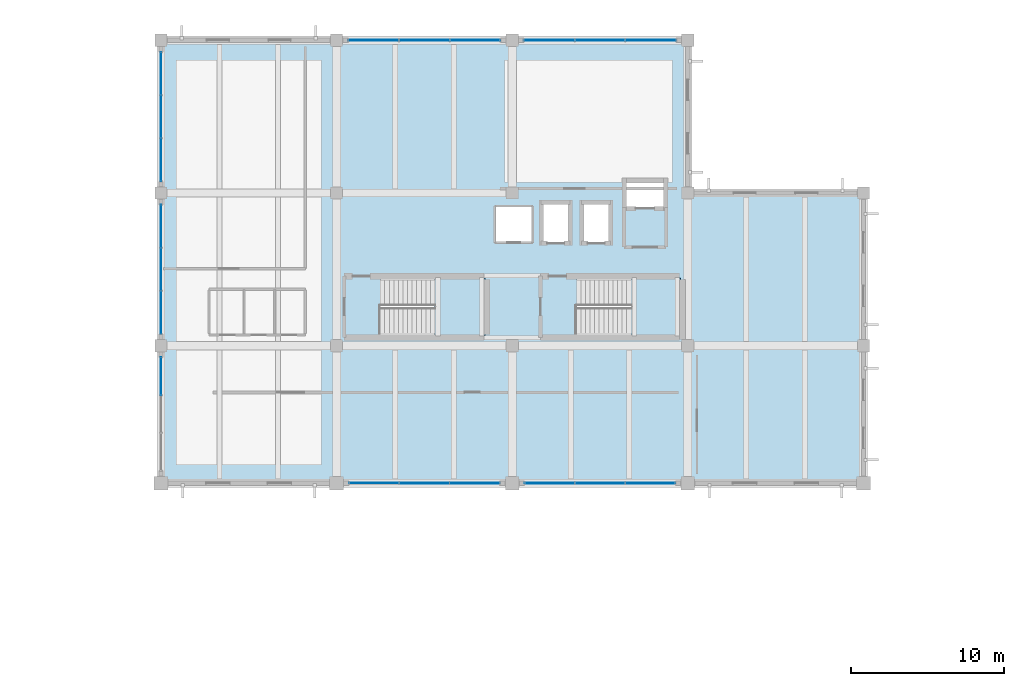
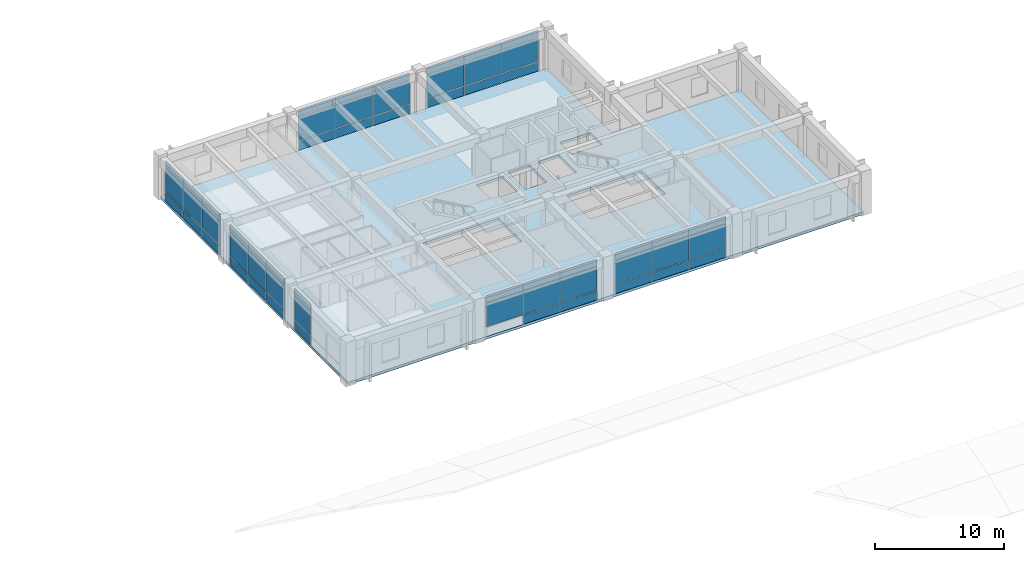
# One storey, part 24 of 33: 56 plates, 3 slabs, 9 elements without a shape of their own.
"""IFC4 building model written with IfcOpenShell, lengths in metres."""

from ifc_helpers import new_model, si_unit, direction, frame, origin, origin_2d, place, context, subcontext, project, spatial, polyline, rectangle, outline, extrude, material, layer, layer_set, type_object, element, aggregate, save


model = new_model("IFC4")

# Units and contexts
model_context = context("Model", 3, precision=1e-05, world=origin(), true_north=direction((0.0, 1.0)))
body_context = subcontext(model_context, "Body", "Model", "MODEL_VIEW")
ifc_project = project(units=[si_unit("LENGTHUNIT", "METRE"), si_unit("AREAUNIT", "SQUARE_METRE"), si_unit("VOLUMEUNIT", "CUBIC_METRE"), si_unit("PLANEANGLEUNIT", "RADIAN"), si_unit("MASSUNIT", "GRAM", prefix="KILO")], contexts=[model_context])

# Site, building, storey
site_placement = place(None, origin())
site = spatial("IfcSite", under=ifc_project, at=site_placement, CompositionType="ELEMENT")
building_placement = place(site_placement, origin())
building = spatial("IfcBuilding", under=site, at=building_placement, Name="Ologun Quay Terminus", CompositionType="ELEMENT")
storey_placement = place(building_placement, frame((0.0, 0.0, 18.300048828125)))
storey = spatial("IfcBuildingStorey", under=building, at=storey_placement, Name="L04", CompositionType="ELEMENT", Elevation=18.300048828125)

# Curtain wall, plates
ifc_material_1 = material(Name="Aluminium 6063-T6", Category="aluminium")
curtain_wall_type_1 = type_object("IfcCurtainWallType", Name="Operations Wing Harbour Curtain Wall L04 10400x3800", PredefinedType="USERDEFINED", material=ifc_material_1)
curtain_wall_1_placement = place(storey_placement, origin())
curtain_wall_1 = element("IfcCurtainWall", 1, at=curtain_wall_1_placement, inside=storey, type_object=curtain_wall_type_1, Name="CW-27 Curtain Wall CW-L04-147", ObjectType="UNITISED CURTAIN WALL", PredefinedType="USERDEFINED")
ifc_material_2 = material(Name="Glass", Category="glass")
ifc_layer_1 = layer(ifc_material_2, 0.031982421875)
ifc_layer_set_1 = layer_set([ifc_layer_1], Name="Glass")
plate_type_1 = type_object("IfcPlateType", Name="Acoustic Low-E Laminated Glazed Panel 32", PredefinedType="CURTAIN_PANEL", material=ifc_layer_set_1)
plate_1_placement = place(storey_placement, frame((128.929931640625, 114.800048828125, 0.929931640625), z_axis=(0.0, 0.0, 1.0), x_axis=(1.0, 0.0, 0.0)))
plate_1 = element("IfcPlate", 2, at=plate_1_placement, type_object=plate_type_1, Name="CW-L04-147 Panel B1-2", PredefinedType="CURTAIN_PANEL", context=body_context, shape_type="SweptSolid", body=[
    extrude(rectangle(XDim=3.320068359375, YDim=0.031982421875, at=origin_2d()), origin(), (0.0, 0.0, 1.0), 2.22998046875),
])
plate_2_placement = place(storey_placement, frame((128.929931640625, 114.800048828125, 3.22021484375), z_axis=(0.0, 0.0, 1.0), x_axis=(1.0, 0.0, 0.0)))
plate_2 = element("IfcPlate", 3, at=plate_2_placement, type_object=plate_type_1, Name="CW-L04-147 Panel B1-3", PredefinedType="CURTAIN_PANEL", context=body_context, shape_type="SweptSolid", body=[
    extrude(rectangle(XDim=3.320068359375, YDim=0.031982421875, at=origin_2d()), origin(), (0.0, 0.0, 1.0), 0.639892578125),
])
plate_3_placement = place(storey_placement, frame((132.25, 114.800048828125, 0.929931640625), z_axis=(0.0, 0.0, 1.0), x_axis=(1.0, 0.0, 0.0)))
plate_3 = element("IfcPlate", 4, at=plate_3_placement, type_object=plate_type_1, Name="CW-L04-147 Panel B2-2", PredefinedType="CURTAIN_PANEL", context=body_context, shape_type="SweptSolid", body=[
    extrude(rectangle(XDim=3.320068359375, YDim=0.031982421875, at=origin_2d()), origin(), (0.0, 0.0, 1.0), 2.22998046875),
])
plate_4_placement = place(storey_placement, frame((132.25, 114.800048828125, 3.22021484375), z_axis=(0.0, 0.0, 1.0), x_axis=(1.0, 0.0, 0.0)))
plate_4 = element("IfcPlate", 5, at=plate_4_placement, type_object=plate_type_1, Name="CW-L04-147 Panel B2-3", PredefinedType="CURTAIN_PANEL", context=body_context, shape_type="SweptSolid", body=[
    extrude(rectangle(XDim=3.320068359375, YDim=0.031982421875, at=origin_2d()), origin(), (0.0, 0.0, 1.0), 0.639892578125),
])
plate_5_placement = place(storey_placement, frame((135.570068359375, 114.800048828125, 0.929931640625), z_axis=(0.0, 0.0, 1.0), x_axis=(1.0, 0.0, 0.0)))
plate_5 = element("IfcPlate", 6, at=plate_5_placement, type_object=plate_type_1, Name="CW-L04-147 Panel B3-2", PredefinedType="CURTAIN_PANEL", context=body_context, shape_type="SweptSolid", body=[
    extrude(rectangle(XDim=3.320068359375, YDim=0.031982421875, at=origin_2d()), origin(), (0.0, 0.0, 1.0), 2.22998046875),
])
plate_6_placement = place(storey_placement, frame((135.570068359375, 114.800048828125, 3.22021484375), z_axis=(0.0, 0.0, 1.0), x_axis=(1.0, 0.0, 0.0)))
plate_6 = element("IfcPlate", 7, at=plate_6_placement, type_object=plate_type_1, Name="CW-L04-147 Panel B3-3", PredefinedType="CURTAIN_PANEL", context=body_context, shape_type="SweptSolid", body=[
    extrude(rectangle(XDim=3.320068359375, YDim=0.031982421875, at=origin_2d()), origin(), (0.0, 0.0, 1.0), 0.639892578125),
])

curtain_wall_2_placement = place(storey_placement, origin())
curtain_wall_2 = element("IfcCurtainWall", 8, at=curtain_wall_2_placement, inside=storey, type_object=curtain_wall_type_1, Name="CW-27 Curtain Wall CW-L04-148", ObjectType="UNITISED CURTAIN WALL", PredefinedType="USERDEFINED")
plate_7_placement = place(storey_placement, frame((140.429931640625, 114.800048828125, 0.929931640625), z_axis=(0.0, 0.0, 1.0), x_axis=(1.0, 0.0, 0.0)))
plate_7 = element("IfcPlate", 9, at=plate_7_placement, type_object=plate_type_1, Name="CW-L04-148 Panel B1-2", PredefinedType="CURTAIN_PANEL", context=body_context, shape_type="SweptSolid", body=[
    extrude(rectangle(XDim=3.320068359375, YDim=0.031982421875, at=origin_2d()), origin(), (0.0, 0.0, 1.0), 2.22998046875),
])
plate_8_placement = place(storey_placement, frame((140.429931640625, 114.800048828125, 3.22021484375), z_axis=(0.0, 0.0, 1.0), x_axis=(1.0, 0.0, 0.0)))
plate_8 = element("IfcPlate", 10, at=plate_8_placement, type_object=plate_type_1, Name="CW-L04-148 Panel B1-3", PredefinedType="CURTAIN_PANEL", context=body_context, shape_type="SweptSolid", body=[
    extrude(rectangle(XDim=3.320068359375, YDim=0.031982421875, at=origin_2d()), origin(), (0.0, 0.0, 1.0), 0.639892578125),
])
plate_9_placement = place(storey_placement, frame((143.75, 114.800048828125, 0.929931640625), z_axis=(0.0, 0.0, 1.0), x_axis=(1.0, 0.0, 0.0)))
plate_9 = element("IfcPlate", 11, at=plate_9_placement, type_object=plate_type_1, Name="CW-L04-148 Panel B2-2", PredefinedType="CURTAIN_PANEL", context=body_context, shape_type="SweptSolid", body=[
    extrude(rectangle(XDim=3.320068359375, YDim=0.031982421875, at=origin_2d()), origin(), (0.0, 0.0, 1.0), 2.22998046875),
])
plate_10_placement = place(storey_placement, frame((143.75, 114.800048828125, 3.22021484375), z_axis=(0.0, 0.0, 1.0), x_axis=(1.0, 0.0, 0.0)))
plate_10 = element("IfcPlate", 12, at=plate_10_placement, type_object=plate_type_1, Name="CW-L04-148 Panel B2-3", PredefinedType="CURTAIN_PANEL", context=body_context, shape_type="SweptSolid", body=[
    extrude(rectangle(XDim=3.320068359375, YDim=0.031982421875, at=origin_2d()), origin(), (0.0, 0.0, 1.0), 0.639892578125),
])
plate_11_placement = place(storey_placement, frame((147.070068359375, 114.800048828125, 0.929931640625), z_axis=(0.0, 0.0, 1.0), x_axis=(1.0, 0.0, 0.0)))
plate_11 = element("IfcPlate", 13, at=plate_11_placement, type_object=plate_type_1, Name="CW-L04-148 Panel B3-2", PredefinedType="CURTAIN_PANEL", context=body_context, shape_type="SweptSolid", body=[
    extrude(rectangle(XDim=3.320068359375, YDim=0.031982421875, at=origin_2d()), origin(), (0.0, 0.0, 1.0), 2.22998046875),
])
plate_12_placement = place(storey_placement, frame((147.070068359375, 114.800048828125, 3.22021484375), z_axis=(0.0, 0.0, 1.0), x_axis=(1.0, 0.0, 0.0)))
plate_12 = element("IfcPlate", 14, at=plate_12_placement, type_object=plate_type_1, Name="CW-L04-148 Panel B3-3", PredefinedType="CURTAIN_PANEL", context=body_context, shape_type="SweptSolid", body=[
    extrude(rectangle(XDim=3.320068359375, YDim=0.031982421875, at=origin_2d()), origin(), (0.0, 0.0, 1.0), 0.639892578125),
])

ifc_material_3 = material(Name="Aluminium 6063-T6", Category="aluminium")
curtain_wall_type_2 = type_object("IfcCurtainWallType", Name="Rain-Garden East Courtyard Curtain Wall L04 9200x3800", PredefinedType="USERDEFINED", material=ifc_material_3)
curtain_wall_3_placement = place(storey_placement, origin())
curtain_wall_3 = element("IfcCurtainWall", 15, at=curtain_wall_3_placement, inside=storey, type_object=curtain_wall_type_2, Name="CW-21 Curtain Wall CW-L04-149", ObjectType="UNITISED CURTAIN WALL", PredefinedType="USERDEFINED")
ifc_material_4 = material(Name="Glass", Category="glass")
ifc_layer_2 = layer(ifc_material_4, 0.035888671875)
ifc_layer_set_2 = layer_set([ifc_layer_2], Name="Glass")
plate_type_2 = type_object("IfcPlateType", Name="High-Selectivity Harbour Glazed Panel 36", PredefinedType="CURTAIN_PANEL", material=ifc_layer_set_2)
plate_13_placement = place(storey_placement, frame((115.0, 92.794921875, 0.929931640625), z_axis=(0.0, 0.0, 1.0), x_axis=(0.0, 1.0, 0.0)))
plate_13 = element("IfcPlate", 16, at=plate_13_placement, type_object=plate_type_2, Name="CW-L04-149 Panel B3-2", PredefinedType="CURTAIN_PANEL", context=body_context, shape_type="SweptSolid", body=[
    extrude(rectangle(XDim=2.469970703125, YDim=0.035888671875, at=origin_2d()), origin(), (0.0, 0.0, 1.0), 2.22998046875),
])
plate_14_placement = place(storey_placement, frame((115.0, 92.794921875, 3.22021484375), z_axis=(0.0, 0.0, 1.0), x_axis=(0.0, 1.0, 0.0)))
plate_14 = element("IfcPlate", 17, at=plate_14_placement, type_object=plate_type_2, Name="CW-L04-149 Panel B3-3", PredefinedType="CURTAIN_PANEL", context=body_context, shape_type="SweptSolid", body=[
    extrude(rectangle(XDim=2.469970703125, YDim=0.035888671875, at=origin_2d()), origin(), (0.0, 0.0, 1.0), 0.639892578125),
])

curtain_wall_4_placement = place(storey_placement, origin())
curtain_wall_4 = element("IfcCurtainWall", 18, at=curtain_wall_4_placement, inside=storey, type_object=curtain_wall_type_2, Name="CW-21 Curtain Wall CW-L04-150", ObjectType="UNITISED CURTAIN WALL", PredefinedType="USERDEFINED")
plate_15_placement = place(storey_placement, frame((115.0, 96.97998046875, 0.929931640625), z_axis=(0.0, 0.0, 1.0), x_axis=(0.0, 1.0, 0.0)))
plate_15 = element("IfcPlate", 19, at=plate_15_placement, type_object=plate_type_2, Name="CW-L04-150 Panel B1-2", PredefinedType="CURTAIN_PANEL", context=body_context, shape_type="SweptSolid", body=[
    extrude(rectangle(XDim=2.820068359375, YDim=0.035888671875, at=origin_2d()), origin(), (0.0, 0.0, 1.0), 2.22998046875),
])
plate_16_placement = place(storey_placement, frame((115.0, 96.97998046875, 3.22021484375), z_axis=(0.0, 0.0, 1.0), x_axis=(0.0, 1.0, 0.0)))
plate_16 = element("IfcPlate", 20, at=plate_16_placement, type_object=plate_type_2, Name="CW-L04-150 Panel B1-3", PredefinedType="CURTAIN_PANEL", context=body_context, shape_type="SweptSolid", body=[
    extrude(rectangle(XDim=2.820068359375, YDim=0.035888671875, at=origin_2d()), origin(), (0.0, 0.0, 1.0), 0.639892578125),
])
plate_17_placement = place(storey_placement, frame((115.0, 99.800048828125, 0.929931640625), z_axis=(0.0, 0.0, 1.0), x_axis=(0.0, 1.0, 0.0)))
plate_17 = element("IfcPlate", 21, at=plate_17_placement, type_object=plate_type_2, Name="CW-L04-150 Panel B2-2", PredefinedType="CURTAIN_PANEL", context=body_context, shape_type="SweptSolid", body=[
    extrude(rectangle(XDim=2.820068359375, YDim=0.035888671875, at=origin_2d()), origin(), (0.0, 0.0, 1.0), 2.22998046875),
])
plate_18_placement = place(storey_placement, frame((115.0, 99.800048828125, 3.22021484375), z_axis=(0.0, 0.0, 1.0), x_axis=(0.0, 1.0, 0.0)))
plate_18 = element("IfcPlate", 22, at=plate_18_placement, type_object=plate_type_2, Name="CW-L04-150 Panel B2-3", PredefinedType="CURTAIN_PANEL", context=body_context, shape_type="SweptSolid", body=[
    extrude(rectangle(XDim=2.820068359375, YDim=0.035888671875, at=origin_2d()), origin(), (0.0, 0.0, 1.0), 0.639892578125),
])
plate_19_placement = place(storey_placement, frame((115.0, 102.6201171875, 0.929931640625), z_axis=(0.0, 0.0, 1.0), x_axis=(0.0, 1.0, 0.0)))
plate_19 = element("IfcPlate", 23, at=plate_19_placement, type_object=plate_type_2, Name="CW-L04-150 Panel B3-2", PredefinedType="CURTAIN_PANEL", context=body_context, shape_type="SweptSolid", body=[
    extrude(rectangle(XDim=2.820068359375, YDim=0.035888671875, at=origin_2d()), origin(), (0.0, 0.0, 1.0), 2.22998046875),
])
plate_20_placement = place(storey_placement, frame((115.0, 102.6201171875, 3.22021484375), z_axis=(0.0, 0.0, 1.0), x_axis=(0.0, 1.0, 0.0)))
plate_20 = element("IfcPlate", 24, at=plate_20_placement, type_object=plate_type_2, Name="CW-L04-150 Panel B3-3", PredefinedType="CURTAIN_PANEL", context=body_context, shape_type="SweptSolid", body=[
    extrude(rectangle(XDim=2.820068359375, YDim=0.035888671875, at=origin_2d()), origin(), (0.0, 0.0, 1.0), 0.639892578125),
])

curtain_wall_5_placement = place(storey_placement, origin())
curtain_wall_5 = element("IfcCurtainWall", 25, at=curtain_wall_5_placement, inside=storey, type_object=curtain_wall_type_2, Name="CW-21 Curtain Wall CW-L04-151", ObjectType="UNITISED CURTAIN WALL", PredefinedType="USERDEFINED")
plate_21_placement = place(storey_placement, frame((115.0, 106.97998046875, 0.929931640625), z_axis=(0.0, 0.0, 1.0), x_axis=(0.0, 1.0, 0.0)))
plate_21 = element("IfcPlate", 26, at=plate_21_placement, type_object=plate_type_2, Name="CW-L04-151 Panel B1-2", PredefinedType="CURTAIN_PANEL", context=body_context, shape_type="SweptSolid", body=[
    extrude(rectangle(XDim=2.820068359375, YDim=0.035888671875, at=origin_2d()), origin(), (0.0, 0.0, 1.0), 2.22998046875),
])
plate_22_placement = place(storey_placement, frame((115.0, 106.97998046875, 3.22021484375), z_axis=(0.0, 0.0, 1.0), x_axis=(0.0, 1.0, 0.0)))
plate_22 = element("IfcPlate", 27, at=plate_22_placement, type_object=plate_type_2, Name="CW-L04-151 Panel B1-3", PredefinedType="CURTAIN_PANEL", context=body_context, shape_type="SweptSolid", body=[
    extrude(rectangle(XDim=2.820068359375, YDim=0.035888671875, at=origin_2d()), origin(), (0.0, 0.0, 1.0), 0.639892578125),
])
plate_23_placement = place(storey_placement, frame((115.0, 109.800048828125, 0.929931640625), z_axis=(0.0, 0.0, 1.0), x_axis=(0.0, 1.0, 0.0)))
plate_23 = element("IfcPlate", 28, at=plate_23_placement, type_object=plate_type_2, Name="CW-L04-151 Panel B2-2", PredefinedType="CURTAIN_PANEL", context=body_context, shape_type="SweptSolid", body=[
    extrude(rectangle(XDim=2.820068359375, YDim=0.035888671875, at=origin_2d()), origin(), (0.0, 0.0, 1.0), 2.22998046875),
])
plate_24_placement = place(storey_placement, frame((115.0, 109.800048828125, 3.22021484375), z_axis=(0.0, 0.0, 1.0), x_axis=(0.0, 1.0, 0.0)))
plate_24 = element("IfcPlate", 29, at=plate_24_placement, type_object=plate_type_2, Name="CW-L04-151 Panel B2-3", PredefinedType="CURTAIN_PANEL", context=body_context, shape_type="SweptSolid", body=[
    extrude(rectangle(XDim=2.820068359375, YDim=0.035888671875, at=origin_2d()), origin(), (0.0, 0.0, 1.0), 0.639892578125),
])
plate_25_placement = place(storey_placement, frame((115.0, 112.6201171875, 0.929931640625), z_axis=(0.0, 0.0, 1.0), x_axis=(0.0, 1.0, 0.0)))
plate_25 = element("IfcPlate", 30, at=plate_25_placement, type_object=plate_type_2, Name="CW-L04-151 Panel B3-2", PredefinedType="CURTAIN_PANEL", context=body_context, shape_type="SweptSolid", body=[
    extrude(rectangle(XDim=2.820068359375, YDim=0.035888671875, at=origin_2d()), origin(), (0.0, 0.0, 1.0), 2.22998046875),
])
plate_26_placement = place(storey_placement, frame((115.0, 112.6201171875, 3.22021484375), z_axis=(0.0, 0.0, 1.0), x_axis=(0.0, 1.0, 0.0)))
plate_26 = element("IfcPlate", 31, at=plate_26_placement, type_object=plate_type_2, Name="CW-L04-151 Panel B3-3", PredefinedType="CURTAIN_PANEL", context=body_context, shape_type="SweptSolid", body=[
    extrude(rectangle(XDim=2.820068359375, YDim=0.035888671875, at=origin_2d()), origin(), (0.0, 0.0, 1.0), 0.639892578125),
])

curtain_wall_6_placement = place(storey_placement, origin())
curtain_wall_6 = element("IfcCurtainWall", 32, at=curtain_wall_6_placement, inside=storey, type_object=curtain_wall_type_1, Name="CW-27 Curtain Wall CW-L04-145", ObjectType="UNITISED CURTAIN WALL", PredefinedType="USERDEFINED")
ifc_material_5 = material(Name="Aluminium 6063-T6", Category="aluminium")
ifc_layer_3 = layer(ifc_material_5, 0.050048828125)
ifc_layer_set_3 = layer_set([ifc_layer_3], Name="Aluminium 6063-T6")
plate_type_3 = type_object("IfcPlateType", Name="Insulated Aluminium Shadow-Box Spandrel 50", PredefinedType="CURTAIN_PANEL", material=ifc_layer_set_3)
plate_27_placement = place(storey_placement, frame((132.25, 85.800048828125, 0.02978515625), z_axis=(0.0, 0.0, 1.0), x_axis=(1.0, 0.0, 0.0)))
plate_27 = element("IfcPlate", 33, at=plate_27_placement, type_object=plate_type_3, Name="CW-L04-145 Panel B2-1", PredefinedType="CURTAIN_PANEL", context=body_context, shape_type="SweptSolid", body=[
    extrude(rectangle(XDim=3.28662109375, YDim=0.050048828125, at=origin_2d()), origin(), (0.0, 0.0, 1.0), 0.840087890625),
])
plate_28_placement = place(storey_placement, frame((135.53662109375, 85.800048828125, 0.02978515625), z_axis=(0.0, 0.0, 1.0), x_axis=(1.0, 0.0, 0.0)))
plate_28 = element("IfcPlate", 34, at=plate_28_placement, type_object=plate_type_3, Name="CW-L04-145 Panel B3-1", PredefinedType="CURTAIN_PANEL", context=body_context, shape_type="SweptSolid", body=[
    extrude(rectangle(XDim=3.28662109375, YDim=0.050048828125, at=origin_2d()), origin(), (0.0, 0.0, 1.0), 0.840087890625),
])

curtain_wall_7_placement = place(storey_placement, origin())
curtain_wall_7 = element("IfcCurtainWall", 35, at=curtain_wall_7_placement, inside=storey, type_object=curtain_wall_type_1, Name="CW-27 Curtain Wall CW-L04-146", ObjectType="UNITISED CURTAIN WALL", PredefinedType="USERDEFINED")
plate_29_placement = place(storey_placement, frame((140.46337890625, 85.800048828125, 0.02978515625), z_axis=(0.0, 0.0, 1.0), x_axis=(1.0, 0.0, 0.0)))
plate_29 = element("IfcPlate", 36, at=plate_29_placement, type_object=plate_type_3, Name="CW-L04-146 Panel B1-1", PredefinedType="CURTAIN_PANEL", context=body_context, shape_type="SweptSolid", body=[
    extrude(rectangle(XDim=3.28662109375, YDim=0.050048828125, at=origin_2d()), origin(), (0.0, 0.0, 1.0), 0.840087890625),
])
plate_30_placement = place(storey_placement, frame((143.75, 85.800048828125, 0.02978515625), z_axis=(0.0, 0.0, 1.0), x_axis=(1.0, 0.0, 0.0)))
plate_30 = element("IfcPlate", 37, at=plate_30_placement, type_object=plate_type_3, Name="CW-L04-146 Panel B2-1", PredefinedType="CURTAIN_PANEL", context=body_context, shape_type="SweptSolid", body=[
    extrude(rectangle(XDim=3.28662109375, YDim=0.050048828125, at=origin_2d()), origin(), (0.0, 0.0, 1.0), 0.840087890625),
])
plate_31_placement = place(storey_placement, frame((147.03662109375, 85.800048828125, 0.02978515625), z_axis=(0.0, 0.0, 1.0), x_axis=(1.0, 0.0, 0.0)))
plate_31 = element("IfcPlate", 38, at=plate_31_placement, type_object=plate_type_3, Name="CW-L04-146 Panel B3-1", PredefinedType="CURTAIN_PANEL", context=body_context, shape_type="SweptSolid", body=[
    extrude(rectangle(XDim=3.28662109375, YDim=0.050048828125, at=origin_2d()), origin(), (0.0, 0.0, 1.0), 0.840087890625),
])

# Plate
plate_32_placement = place(storey_placement, frame((128.929931640625, 114.800048828125, 0.02978515625), z_axis=(0.0, 0.0, 1.0), x_axis=(1.0, 0.0, 0.0)))
plate_32 = element("IfcPlate", 39, at=plate_32_placement, type_object=plate_type_3, Name="CW-L04-147 Panel B1-1", PredefinedType="CURTAIN_PANEL", context=body_context, shape_type="SweptSolid", body=[
    extrude(rectangle(XDim=3.320068359375, YDim=0.050048828125, at=origin_2d()), origin(), (0.0, 0.0, 1.0), 0.840087890625),
])

plate_33_placement = place(storey_placement, frame((132.25, 114.800048828125, 0.02978515625), z_axis=(0.0, 0.0, 1.0), x_axis=(1.0, 0.0, 0.0)))
plate_33 = element("IfcPlate", 40, at=plate_33_placement, type_object=plate_type_3, Name="CW-L04-147 Panel B2-1", PredefinedType="CURTAIN_PANEL", context=body_context, shape_type="SweptSolid", body=[
    extrude(rectangle(XDim=3.320068359375, YDim=0.050048828125, at=origin_2d()), origin(), (0.0, 0.0, 1.0), 0.840087890625),
])

plate_34_placement = place(storey_placement, frame((135.570068359375, 114.800048828125, 0.02978515625), z_axis=(0.0, 0.0, 1.0), x_axis=(1.0, 0.0, 0.0)))
plate_34 = element("IfcPlate", 41, at=plate_34_placement, type_object=plate_type_3, Name="CW-L04-147 Panel B3-1", PredefinedType="CURTAIN_PANEL", context=body_context, shape_type="SweptSolid", body=[
    extrude(rectangle(XDim=3.320068359375, YDim=0.050048828125, at=origin_2d()), origin(), (0.0, 0.0, 1.0), 0.840087890625),
])

aggregate(curtain_wall_1, [plate_32, plate_1, plate_2, plate_33, plate_3, plate_4, plate_34, plate_5, plate_6])

plate_35_placement = place(storey_placement, frame((140.429931640625, 114.800048828125, 0.02978515625), z_axis=(0.0, 0.0, 1.0), x_axis=(1.0, 0.0, 0.0)))
plate_35 = element("IfcPlate", 42, at=plate_35_placement, type_object=plate_type_3, Name="CW-L04-148 Panel B1-1", PredefinedType="CURTAIN_PANEL", context=body_context, shape_type="SweptSolid", body=[
    extrude(rectangle(XDim=3.320068359375, YDim=0.050048828125, at=origin_2d()), origin(), (0.0, 0.0, 1.0), 0.840087890625),
])

plate_36_placement = place(storey_placement, frame((143.75, 114.800048828125, 0.02978515625), z_axis=(0.0, 0.0, 1.0), x_axis=(1.0, 0.0, 0.0)))
plate_36 = element("IfcPlate", 43, at=plate_36_placement, type_object=plate_type_3, Name="CW-L04-148 Panel B2-1", PredefinedType="CURTAIN_PANEL", context=body_context, shape_type="SweptSolid", body=[
    extrude(rectangle(XDim=3.320068359375, YDim=0.050048828125, at=origin_2d()), origin(), (0.0, 0.0, 1.0), 0.840087890625),
])

plate_37_placement = place(storey_placement, frame((147.070068359375, 114.800048828125, 0.02978515625), z_axis=(0.0, 0.0, 1.0), x_axis=(1.0, 0.0, 0.0)))
plate_37 = element("IfcPlate", 44, at=plate_37_placement, type_object=plate_type_3, Name="CW-L04-148 Panel B3-1", PredefinedType="CURTAIN_PANEL", context=body_context, shape_type="SweptSolid", body=[
    extrude(rectangle(XDim=3.320068359375, YDim=0.050048828125, at=origin_2d()), origin(), (0.0, 0.0, 1.0), 0.840087890625),
])

aggregate(curtain_wall_2, [plate_35, plate_7, plate_8, plate_36, plate_9, plate_10, plate_37, plate_11, plate_12])

plate_38_placement = place(storey_placement, frame((115.0, 92.794921875, 0.02978515625), z_axis=(0.0, 0.0, 1.0), x_axis=(0.0, 1.0, 0.0)))
plate_38 = element("IfcPlate", 45, at=plate_38_placement, type_object=plate_type_3, Name="CW-L04-149 Panel B3-1", PredefinedType="CURTAIN_PANEL", context=body_context, shape_type="SweptSolid", body=[
    extrude(rectangle(XDim=2.469970703125, YDim=0.050048828125, at=origin_2d()), origin(), (0.0, 0.0, 1.0), 0.840087890625),
])

aggregate(curtain_wall_3, [plate_38, plate_13, plate_14])

plate_39_placement = place(storey_placement, frame((115.0, 96.97998046875, 0.02978515625), z_axis=(0.0, 0.0, 1.0), x_axis=(0.0, 1.0, 0.0)))
plate_39 = element("IfcPlate", 46, at=plate_39_placement, type_object=plate_type_3, Name="CW-L04-150 Panel B1-1", PredefinedType="CURTAIN_PANEL", context=body_context, shape_type="SweptSolid", body=[
    extrude(rectangle(XDim=2.820068359375, YDim=0.050048828125, at=origin_2d()), origin(), (0.0, 0.0, 1.0), 0.840087890625),
])

plate_40_placement = place(storey_placement, frame((115.0, 99.800048828125, 0.02978515625), z_axis=(0.0, 0.0, 1.0), x_axis=(0.0, 1.0, 0.0)))
plate_40 = element("IfcPlate", 47, at=plate_40_placement, type_object=plate_type_3, Name="CW-L04-150 Panel B2-1", PredefinedType="CURTAIN_PANEL", context=body_context, shape_type="SweptSolid", body=[
    extrude(rectangle(XDim=2.820068359375, YDim=0.050048828125, at=origin_2d()), origin(), (0.0, 0.0, 1.0), 0.840087890625),
])

plate_41_placement = place(storey_placement, frame((115.0, 102.6201171875, 0.02978515625), z_axis=(0.0, 0.0, 1.0), x_axis=(0.0, 1.0, 0.0)))
plate_41 = element("IfcPlate", 48, at=plate_41_placement, type_object=plate_type_3, Name="CW-L04-150 Panel B3-1", PredefinedType="CURTAIN_PANEL", context=body_context, shape_type="SweptSolid", body=[
    extrude(rectangle(XDim=2.820068359375, YDim=0.050048828125, at=origin_2d()), origin(), (0.0, 0.0, 1.0), 0.840087890625),
])

aggregate(curtain_wall_4, [plate_39, plate_15, plate_16, plate_40, plate_17, plate_18, plate_41, plate_19, plate_20])

plate_42_placement = place(storey_placement, frame((115.0, 106.97998046875, 0.02978515625), z_axis=(0.0, 0.0, 1.0), x_axis=(0.0, 1.0, 0.0)))
plate_42 = element("IfcPlate", 49, at=plate_42_placement, type_object=plate_type_3, Name="CW-L04-151 Panel B1-1", PredefinedType="CURTAIN_PANEL", context=body_context, shape_type="SweptSolid", body=[
    extrude(rectangle(XDim=2.820068359375, YDim=0.050048828125, at=origin_2d()), origin(), (0.0, 0.0, 1.0), 0.840087890625),
])

plate_43_placement = place(storey_placement, frame((115.0, 109.800048828125, 0.02978515625), z_axis=(0.0, 0.0, 1.0), x_axis=(0.0, 1.0, 0.0)))
plate_43 = element("IfcPlate", 50, at=plate_43_placement, type_object=plate_type_3, Name="CW-L04-151 Panel B2-1", PredefinedType="CURTAIN_PANEL", context=body_context, shape_type="SweptSolid", body=[
    extrude(rectangle(XDim=2.820068359375, YDim=0.050048828125, at=origin_2d()), origin(), (0.0, 0.0, 1.0), 0.840087890625),
])

plate_44_placement = place(storey_placement, frame((115.0, 112.6201171875, 0.02978515625), z_axis=(0.0, 0.0, 1.0), x_axis=(0.0, 1.0, 0.0)))
plate_44 = element("IfcPlate", 51, at=plate_44_placement, type_object=plate_type_3, Name="CW-L04-151 Panel B3-1", PredefinedType="CURTAIN_PANEL", context=body_context, shape_type="SweptSolid", body=[
    extrude(rectangle(XDim=2.820068359375, YDim=0.050048828125, at=origin_2d()), origin(), (0.0, 0.0, 1.0), 0.840087890625),
])

aggregate(curtain_wall_5, [plate_42, plate_21, plate_22, plate_43, plate_23, plate_24, plate_44, plate_25, plate_26])

# Slab
ifc_material_6 = material(Name="Concrete C40/50", Category="concrete")
ifc_layer_4 = layer(ifc_material_6, 0.25)
ifc_layer_set_4 = layer_set([ifc_layer_4], Name="Concrete C40/50")
slab_type_1 = type_object("IfcSlabType", Name="North Wing Floor Slab 250", PredefinedType="FLOOR", material=ifc_layer_set_4)
slab_1_placement = place(storey_placement, frame((0.0, 0.0, -0.25)))
element("IfcSlab", 52, at=slab_1_placement, inside=storey, type_object=slab_type_1, Name="SL-TWR Wing Floor Slab L04 EWNG", PredefinedType="FLOOR", context=body_context, shape_type="SweptSolid", body=[
    extrude(outline(polyline([(115.0, 85.800048828125), (161.0, 85.800048828125), (161.0, 104.800048828125), (149.5, 104.800048828125), (149.5, 114.800048828125), (115.0, 114.800048828125), (115.0, 85.800048828125)]), holes=[polyline([(145.35009765625, 103.780029296875), (145.35009765625, 105.6201171875), (148.050048828125, 105.6201171875), (148.050048828125, 103.780029296875), (145.35009765625, 103.780029296875)]), polyline([(139.89990234375, 101.5), (139.89990234375, 104.199951171875), (141.800048828125, 104.199951171875), (141.800048828125, 101.5), (139.89990234375, 101.5)]), polyline([(142.550048828125, 101.5), (142.550048828125, 104.199951171875), (144.449951171875, 104.199951171875), (144.449951171875, 101.5), (142.550048828125, 101.5)]), polyline([(129.3798828125, 95.550048828125), (129.3798828125, 99.14990234375), (136.14990234375, 99.14990234375), (136.14990234375, 95.550048828125), (129.3798828125, 95.550048828125)]), polyline([(142.22998046875, 95.550048828125), (142.22998046875, 99.14990234375), (148.949951171875, 99.14990234375), (148.949951171875, 95.550048828125), (142.22998046875, 95.550048828125)]), polyline([(136.89990234375, 101.60009765625), (136.89990234375, 103.89990234375), (139.300048828125, 103.89990234375), (139.300048828125, 101.60009765625), (136.89990234375, 101.60009765625)])]), origin(), (0.0, 0.0, 1.0), 0.25),
])

# Stair, slab
ifc_material_7 = material(Name="Concrete C40/50", Category="concrete")
stair_type = type_object("IfcStairType", Name="Courtyard Wing Upper Core Stair 1700", PredefinedType="HALF_TURN_STAIR", material=ifc_material_7)
stair_1_placement = place(storey_placement, origin())
stair_1 = element("IfcStair", 53, at=stair_1_placement, inside=storey, type_object=stair_type, Name="ST-E1 Stair L04", PredefinedType="HALF_TURN_STAIR")
ifc_material_8 = material(Name="Precast Concrete C40/50", Category="concrete")
ifc_layer_5 = layer(ifc_material_8, 0.179931640625)
ifc_layer_set_5 = layer_set([ifc_layer_5], Name="Precast Concrete C40/50")
slab_type_2 = type_object("IfcSlabType", Name="Precast Stair Half-Landing Slab 180", PredefinedType="LANDING", material=ifc_layer_set_5)
slab_2_placement = place(storey_placement, frame((0.0, 0.0, 1.89990234375)))
slab_2 = element("IfcSlab", 54, at=slab_2_placement, type_object=slab_type_2, Name="ST-E1 Half-Landing L04", PredefinedType="LANDING", context=body_context, shape_type="SweptSolid", body=[
    extrude(outline(polyline([(132.919921875, 95.469970703125), (136.22998046875, 95.469970703125), (136.22998046875, 99.22998046875), (132.919921875, 99.22998046875), (132.919921875, 95.469970703125)])), origin(), (0.0, 0.0, 1.0), 0.179931640625),
])
aggregate(stair_1, [slab_2])

stair_2_placement = place(storey_placement, origin())
stair_2 = element("IfcStair", 55, at=stair_2_placement, inside=storey, type_object=stair_type, Name="ST-E2 Stair L04", PredefinedType="HALF_TURN_STAIR")
slab_3_placement = place(storey_placement, frame((0.0, 0.0, 1.89990234375)))
slab_3 = element("IfcSlab", 56, at=slab_3_placement, type_object=slab_type_2, Name="ST-E2 Half-Landing L04", PredefinedType="LANDING", context=body_context, shape_type="SweptSolid", body=[
    extrude(outline(polyline([(145.77001953125, 95.469970703125), (149.030029296875, 95.469970703125), (149.030029296875, 99.22998046875), (145.77001953125, 99.22998046875), (145.77001953125, 95.469970703125)])), origin(), (0.0, 0.0, 1.0), 0.179931640625),
])
aggregate(stair_2, [slab_3])

# Plate
ifc_material_9 = material(Name="Glass", Category="glass")
ifc_layer_6 = layer(ifc_material_9, 0.028076171875)
ifc_layer_set_6 = layer_set([ifc_layer_6], Name="Glass")
plate_type_4 = type_object("IfcPlateType", Name="Solar-Control Double Glazed Panel 28", PredefinedType="CURTAIN_PANEL", material=ifc_layer_set_6)
plate_45_placement = place(storey_placement, frame((128.96337890625, 85.800048828125, 0.929931640625), z_axis=(0.0, 0.0, 1.0), x_axis=(1.0, 0.0, 0.0)))
plate_45 = element("IfcPlate", 57, at=plate_45_placement, type_object=plate_type_4, Name="CW-L04-145 Panel B1-2", PredefinedType="CURTAIN_PANEL", context=body_context, shape_type="SweptSolid", body=[
    extrude(rectangle(XDim=3.28662109375, YDim=0.028076171875, at=origin_2d()), origin(), (0.0, 0.0, 1.0), 2.22998046875),
])

plate_46_placement = place(storey_placement, frame((128.96337890625, 85.800048828125, 3.22021484375), z_axis=(0.0, 0.0, 1.0), x_axis=(1.0, 0.0, 0.0)))
plate_46 = element("IfcPlate", 58, at=plate_46_placement, type_object=plate_type_4, Name="CW-L04-145 Panel B1-3", PredefinedType="CURTAIN_PANEL", context=body_context, shape_type="SweptSolid", body=[
    extrude(rectangle(XDim=3.28662109375, YDim=0.028076171875, at=origin_2d()), origin(), (0.0, 0.0, 1.0), 0.639892578125),
])

plate_47_placement = place(storey_placement, frame((132.25, 85.800048828125, 0.929931640625), z_axis=(0.0, 0.0, 1.0), x_axis=(1.0, 0.0, 0.0)))
plate_47 = element("IfcPlate", 59, at=plate_47_placement, type_object=plate_type_4, Name="CW-L04-145 Panel B2-2", PredefinedType="CURTAIN_PANEL", context=body_context, shape_type="SweptSolid", body=[
    extrude(rectangle(XDim=3.28662109375, YDim=0.028076171875, at=origin_2d()), origin(), (0.0, 0.0, 1.0), 2.22998046875),
])

plate_48_placement = place(storey_placement, frame((132.25, 85.800048828125, 3.22021484375), z_axis=(0.0, 0.0, 1.0), x_axis=(1.0, 0.0, 0.0)))
plate_48 = element("IfcPlate", 60, at=plate_48_placement, type_object=plate_type_4, Name="CW-L04-145 Panel B2-3", PredefinedType="CURTAIN_PANEL", context=body_context, shape_type="SweptSolid", body=[
    extrude(rectangle(XDim=3.28662109375, YDim=0.028076171875, at=origin_2d()), origin(), (0.0, 0.0, 1.0), 0.639892578125),
])

plate_49_placement = place(storey_placement, frame((135.53662109375, 85.800048828125, 0.929931640625), z_axis=(0.0, 0.0, 1.0), x_axis=(1.0, 0.0, 0.0)))
plate_49 = element("IfcPlate", 61, at=plate_49_placement, type_object=plate_type_4, Name="CW-L04-145 Panel B3-2", PredefinedType="CURTAIN_PANEL", context=body_context, shape_type="SweptSolid", body=[
    extrude(rectangle(XDim=3.28662109375, YDim=0.028076171875, at=origin_2d()), origin(), (0.0, 0.0, 1.0), 2.22998046875),
])

plate_50_placement = place(storey_placement, frame((135.53662109375, 85.800048828125, 3.22021484375), z_axis=(0.0, 0.0, 1.0), x_axis=(1.0, 0.0, 0.0)))
plate_50 = element("IfcPlate", 62, at=plate_50_placement, type_object=plate_type_4, Name="CW-L04-145 Panel B3-3", PredefinedType="CURTAIN_PANEL", context=body_context, shape_type="SweptSolid", body=[
    extrude(rectangle(XDim=3.28662109375, YDim=0.028076171875, at=origin_2d()), origin(), (0.0, 0.0, 1.0), 0.639892578125),
])

aggregate(curtain_wall_6, [plate_45, plate_46, plate_27, plate_47, plate_48, plate_28, plate_49, plate_50])

plate_51_placement = place(storey_placement, frame((140.46337890625, 85.800048828125, 0.929931640625), z_axis=(0.0, 0.0, 1.0), x_axis=(1.0, 0.0, 0.0)))
plate_51 = element("IfcPlate", 63, at=plate_51_placement, type_object=plate_type_4, Name="CW-L04-146 Panel B1-2", PredefinedType="CURTAIN_PANEL", context=body_context, shape_type="SweptSolid", body=[
    extrude(rectangle(XDim=3.28662109375, YDim=0.028076171875, at=origin_2d()), origin(), (0.0, 0.0, 1.0), 2.22998046875),
])

plate_52_placement = place(storey_placement, frame((140.46337890625, 85.800048828125, 3.22021484375), z_axis=(0.0, 0.0, 1.0), x_axis=(1.0, 0.0, 0.0)))
plate_52 = element("IfcPlate", 64, at=plate_52_placement, type_object=plate_type_4, Name="CW-L04-146 Panel B1-3", PredefinedType="CURTAIN_PANEL", context=body_context, shape_type="SweptSolid", body=[
    extrude(rectangle(XDim=3.28662109375, YDim=0.028076171875, at=origin_2d()), origin(), (0.0, 0.0, 1.0), 0.639892578125),
])

plate_53_placement = place(storey_placement, frame((143.75, 85.800048828125, 0.929931640625), z_axis=(0.0, 0.0, 1.0), x_axis=(1.0, 0.0, 0.0)))
plate_53 = element("IfcPlate", 65, at=plate_53_placement, type_object=plate_type_4, Name="CW-L04-146 Panel B2-2", PredefinedType="CURTAIN_PANEL", context=body_context, shape_type="SweptSolid", body=[
    extrude(rectangle(XDim=3.28662109375, YDim=0.028076171875, at=origin_2d()), origin(), (0.0, 0.0, 1.0), 2.22998046875),
])

plate_54_placement = place(storey_placement, frame((143.75, 85.800048828125, 3.22021484375), z_axis=(0.0, 0.0, 1.0), x_axis=(1.0, 0.0, 0.0)))
plate_54 = element("IfcPlate", 66, at=plate_54_placement, type_object=plate_type_4, Name="CW-L04-146 Panel B2-3", PredefinedType="CURTAIN_PANEL", context=body_context, shape_type="SweptSolid", body=[
    extrude(rectangle(XDim=3.28662109375, YDim=0.028076171875, at=origin_2d()), origin(), (0.0, 0.0, 1.0), 0.639892578125),
])

plate_55_placement = place(storey_placement, frame((147.03662109375, 85.800048828125, 0.929931640625), z_axis=(0.0, 0.0, 1.0), x_axis=(1.0, 0.0, 0.0)))
plate_55 = element("IfcPlate", 67, at=plate_55_placement, type_object=plate_type_4, Name="CW-L04-146 Panel B3-2", PredefinedType="CURTAIN_PANEL", context=body_context, shape_type="SweptSolid", body=[
    extrude(rectangle(XDim=3.28662109375, YDim=0.028076171875, at=origin_2d()), origin(), (0.0, 0.0, 1.0), 2.22998046875),
])

plate_56_placement = place(storey_placement, frame((147.03662109375, 85.800048828125, 3.22021484375), z_axis=(0.0, 0.0, 1.0), x_axis=(1.0, 0.0, 0.0)))
plate_56 = element("IfcPlate", 68, at=plate_56_placement, type_object=plate_type_4, Name="CW-L04-146 Panel B3-3", PredefinedType="CURTAIN_PANEL", context=body_context, shape_type="SweptSolid", body=[
    extrude(rectangle(XDim=3.28662109375, YDim=0.028076171875, at=origin_2d()), origin(), (0.0, 0.0, 1.0), 0.639892578125),
])

aggregate(curtain_wall_7, [plate_29, plate_51, plate_52, plate_30, plate_53, plate_54, plate_31, plate_55, plate_56])

save(model, "model.ifc")
